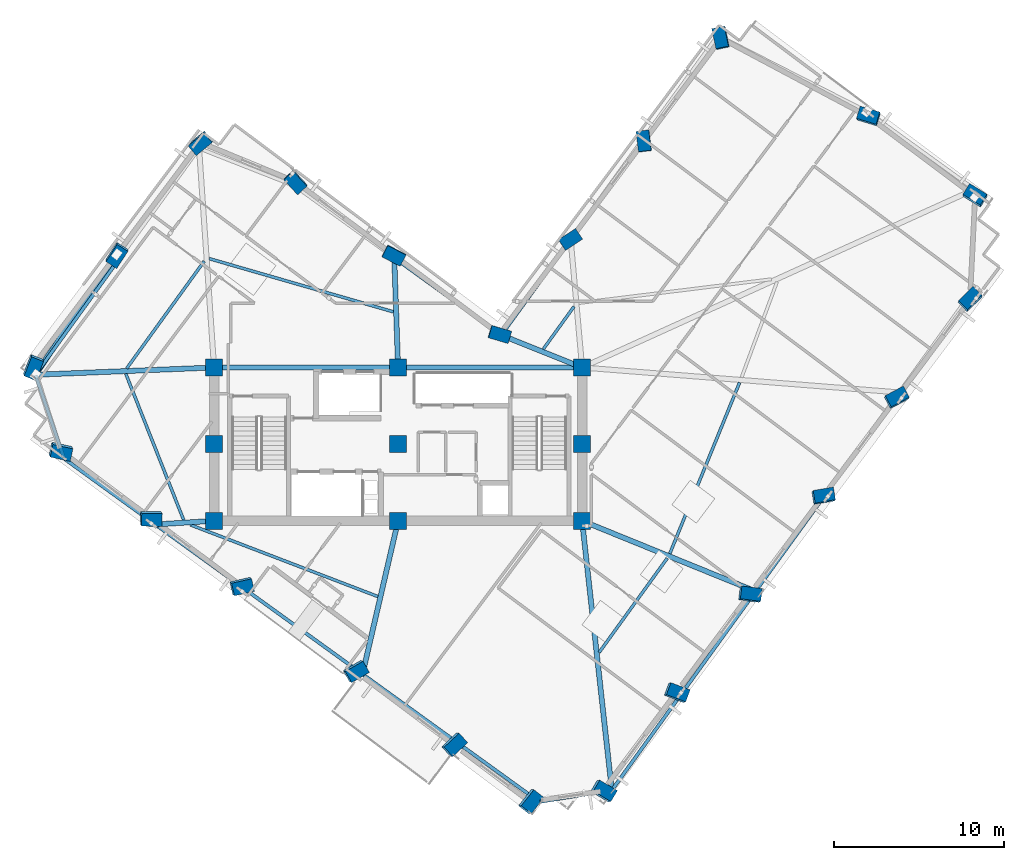
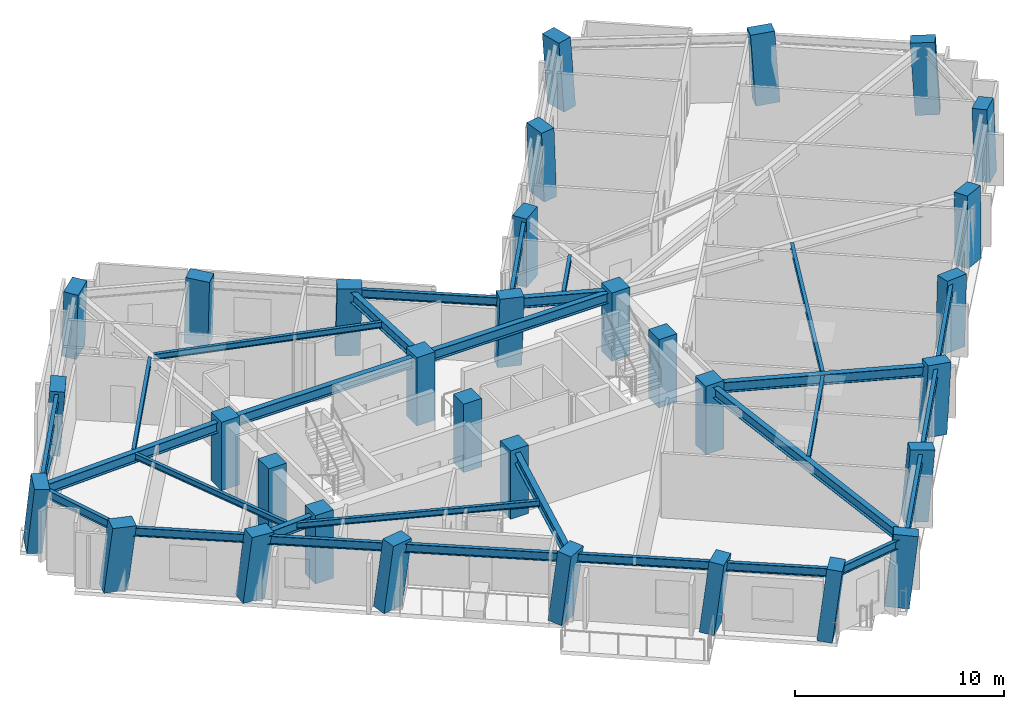
# One storey, part 1 of 12: 32 columns, 29 beams, 1 member.
"""IFC4 building model written with IfcOpenShell, lengths in metres."""

from ifc_helpers import new_model, si_unit, direction, frame, origin, origin_2d, place, context, subcontext, project, spatial, rectangle, hollow_circle, i_section, extrude, material, material_profile, profile_set, type_object, element, save


model = new_model("IFC4")

# Units and contexts
model_context = context("Model", 3, precision=1e-05, world=origin(), true_north=direction((0.0, 1.0)))
body_context = subcontext(model_context, "Body", "Model", "MODEL_VIEW")
ifc_project = project(units=[si_unit("LENGTHUNIT", "METRE"), si_unit("AREAUNIT", "SQUARE_METRE"), si_unit("VOLUMEUNIT", "CUBIC_METRE"), si_unit("PLANEANGLEUNIT", "RADIAN"), si_unit("MASSUNIT", "GRAM", prefix="KILO")], contexts=[model_context])

# Site, building, storey
site_placement = place(None, origin())
site = spatial("IfcSite", under=ifc_project, at=site_placement, CompositionType="ELEMENT")
building_placement = place(site_placement, origin())
building = spatial("IfcBuilding", under=site, at=building_placement, Name="Gaonmaruhae Medical Tower", CompositionType="ELEMENT")
storey_placement = place(building_placement, frame((0.0, 0.0, 251.199951171875)))
storey = spatial("IfcBuildingStorey", under=building, at=storey_placement, Name="L60", CompositionType="ELEMENT", Elevation=251.199951171875)

# Columns
ifc_material_1 = material(Name="Concrete C50/60", Category="concrete")
ifc_material_profile_1 = material_profile(ifc_material_1, rectangle(XDim=1.0, YDim=1.0, at=origin_2d()), Name="RC-1000x1000")
ifc_profile_set_1 = profile_set([ifc_material_profile_1], Name="Concrete C50/60")
column_type_1 = type_object("IfcColumnType", Name="CC-05 Zone 4 Core Column (RC-1000x1000)", PredefinedType="COLUMN", material=ifc_profile_set_1)
for number, where, z_axis, x_axis, name in (
    (1, (14.0, 7.800048828125, 0.0), (0.0, 0.0, 1.0), (1.0, 0.0, 0.0), "L60 Plumb Core Column CC11"),
    (2, (14.0, 12.300048828125, 0.0), (0.0, 0.0, 1.0), (1.0, 0.0, 0.0), "L60 Plumb Core Column CC12"),
    (3, (14.0, 16.800048828125, 0.0), (0.0, 0.0, 1.0), (1.0, 0.0, 0.0), "L60 Plumb Core Column CC13"),
    (4, (24.800048828125, 7.800048828125, 0.0), (0.0, 0.0, 1.0), (1.0, 0.0, 0.0), "L60 Plumb Core Column CC21"),
    (5, (24.800048828125, 12.300048828125, 0.0), (0.0, 0.0, 1.0), (1.0, 0.0, 0.0), "L60 Plumb Core Column CC22"),
    (6, (24.800048828125, 16.800048828125, 0.0), (0.0, 0.0, 1.0), (1.0, 0.0, 0.0), "L60 Plumb Core Column CC23"),
    (7, (35.60009765625, 7.800048828125, 0.0), (0.0, 0.0, 1.0), (1.0, 0.0, 0.0), "L60 Plumb Core Column CC31"),
    (8, (35.60009765625, 12.300048828125, 0.0), (0.0, 0.0, 1.0), (1.0, 0.0, 0.0), "L60 Plumb Core Column CC32"),
    (9, (35.60009765625, 16.800048828125, 0.0), (0.0, 0.0, 1.0), (1.0, 0.0, 0.0), "L60 Plumb Core Column CC33"),
):
    element("IfcColumn", number, at=place(storey_placement, frame(where, z_axis=z_axis, x_axis=x_axis)), inside=storey, type_object=column_type_1, Name=name, PredefinedType="COLUMN", context=body_context, shape_type="SweptSolid", body=[
        extrude(rectangle(XDim=1.0, YDim=1.0, at=origin_2d()), origin(), (0.0, 0.0, 1.0), 4.0),
    ])
ifc_material_profile_2 = material_profile(ifc_material_1, rectangle(XDim=1.199951171875, YDim=0.75, at=origin_2d()), Name="RC-1200x750")
ifc_profile_set_2 = profile_set([ifc_material_profile_2], Name="Concrete C50/60")
column_type_2 = type_object("IfcColumnType", Name="TC-03 Upper Raking Tube Pier Column (RC-1200x750)", PredefinedType="COLUMN", material=ifc_profile_set_2)
column_1_placement = place(storey_placement, frame((36.80029296875, -8.066162109375, 0.001953125), z_axis=(0.134853625293, 0.014284315785, 0.990762563921), x_axis=(-0.852019493667, 0.512124932429, 0.108585615971)))
element("IfcColumn", 10, at=column_1_placement, inside=storey, type_object=column_type_2, Name="L60 Perimeter Tube Column S01", PredefinedType="COLUMN", context=body_context, shape_type="SweptSolid", body=[
    extrude(rectangle(XDim=1.199951171875, YDim=0.75, at=origin_2d()), origin(), (0.0, 0.0, 1.0), 4.03369140625),
])
column_2_placement = place(storey_placement, frame((41.11328125, -2.30078125, 0.001953125), z_axis=(0.111347782099, 0.031856994878, 0.993270760316), x_axis=(-0.929434410427, 0.357143567231, 0.092736988841)))
element("IfcColumn", 11, at=column_2_placement, inside=storey, type_object=column_type_2, Name="L60 Perimeter Tube Column S02", PredefinedType="COLUMN", context=body_context, shape_type="SweptSolid", body=[
    extrude(rectangle(XDim=1.199951171875, YDim=0.75, at=origin_2d()), origin(), (0.0, 0.0, 1.0), 4.0234375),
])
column_3_placement = place(storey_placement, frame((45.42626953125, 3.464599609375, 0.001953125), z_axis=(0.087585718963, 0.049475902315, 0.994927573708), x_axis=(-0.988272356608, 0.12972919352, 0.080548653085)))
element("IfcColumn", 12, at=column_3_placement, inside=storey, type_object=column_type_2, Name="L60 Perimeter Tube Column S03", PredefinedType="COLUMN", context=body_context, shape_type="SweptSolid", body=[
    extrude(rectangle(XDim=1.199951171875, YDim=0.75, at=origin_2d()), origin(), (0.0, 0.0, 1.0), 4.0166015625),
])
column_4_placement = place(storey_placement, frame((49.739013671875, 9.229736328125, 0.001953125), z_axis=(0.063748411472, 0.067154815138, 0.995703957428), x_axis=(-0.983362673605, -0.165833326285, 0.074142835491)))
element("IfcColumn", 13, at=column_4_placement, inside=storey, type_object=column_type_2, Name="L60 Perimeter Tube Column S04", PredefinedType="COLUMN", context=body_context, shape_type="SweptSolid", body=[
    extrude(rectangle(XDim=1.199951171875, YDim=0.75, at=origin_2d()), origin(), (0.0, 0.0, 1.0), 4.013671875),
])
column_5_placement = place(storey_placement, frame((54.052001953125, 14.9951171875, 0.001953125), z_axis=(0.039778172203, 0.084726290335, 0.995609940058), x_axis=(-0.881040360407, -0.46706603871, 0.074947974075)))
element("IfcColumn", 14, at=column_5_placement, inside=storey, type_object=column_type_2, Name="L60 Perimeter Tube Column S05", PredefinedType="COLUMN", context=body_context, shape_type="SweptSolid", body=[
    extrude(rectangle(XDim=1.199951171875, YDim=0.75, at=origin_2d()), origin(), (0.0, 0.0, 1.0), 4.013916015625),
])
column_6_placement = place(storey_placement, frame((58.364990234375, 20.760498046875, 0.001953125), z_axis=(0.015798513872, 0.102204232052, 0.994637975301), x_axis=(-0.713659401151, -0.695580870268, 0.082810096407)))
element("IfcColumn", 15, at=column_6_placement, inside=storey, type_object=column_type_2, Name="L60 Perimeter Tube Column S06", PredefinedType="COLUMN", context=body_context, shape_type="SweptSolid", body=[
    extrude(rectangle(XDim=1.199951171875, YDim=0.75, at=origin_2d()), origin(), (0.0, 0.0, 1.0), 4.017822265625),
])
column_7_placement = place(storey_placement, frame((58.66748046875, 26.8408203125, 0.001953125), z_axis=(-0.009235832937, 0.103234737891, 0.994614140399), x_axis=(0.850636606245, -0.522075248116, 0.062087031016)))
element("IfcColumn", 16, at=column_7_placement, inside=storey, type_object=column_type_2, Name="L60 Perimeter Tube Column E01", PredefinedType="COLUMN", context=body_context, shape_type="SweptSolid", body=[
    extrude(rectangle(XDim=1.199951171875, YDim=0.75, at=origin_2d()), origin(), (0.0, 0.0, 1.0), 4.01806640625),
])
column_8_placement = place(storey_placement, frame((52.421875, 31.51318359375, 0.001953125), z_axis=(-0.028371320881, 0.077503629788, 0.996588307939), x_axis=(0.957149453601, -0.285343074495, 0.049439390263)))
element("IfcColumn", 17, at=column_8_placement, inside=storey, type_object=column_type_2, Name="L60 Perimeter Tube Column E02", PredefinedType="COLUMN", context=body_context, shape_type="SweptSolid", body=[
    extrude(rectangle(XDim=1.199951171875, YDim=0.75, at=origin_2d()), origin(), (0.0, 0.0, 1.0), 4.010009765625),
])
column_9_placement = place(storey_placement, frame((43.756103515625, 36.12255859375, 0.001953125), z_axis=(-0.047190879507, 0.041581627679, 0.998020034434), x_axis=(0.203571858613, -0.977763785385, 0.050363462655)))
element("IfcColumn", 18, at=column_9_placement, inside=storey, type_object=column_type_2, Name="L60 Perimeter Tube Column E03", PredefinedType="COLUMN", context=body_context, shape_type="SweptSolid", body=[
    extrude(rectangle(XDim=1.199951171875, YDim=0.75, at=origin_2d()), origin(), (0.0, 0.0, 1.0), 4.004150390625),
])
column_10_placement = place(storey_placement, frame((39.233642578125, 30.076904296875, 0.001953125), z_axis=(-0.022103646467, 0.023141663014, 0.999487814956), x_axis=(0.119606697095, -0.992490609575, 0.025624751993)))
element("IfcColumn", 19, at=column_10_placement, inside=storey, type_object=column_type_2, Name="L60 Perimeter Tube Column EN01", PredefinedType="COLUMN", context=body_context, shape_type="SweptSolid", body=[
    extrude(rectangle(XDim=1.199951171875, YDim=0.75, at=origin_2d()), origin(), (0.0, 0.0, 1.0), 3.998291015625),
])
column_11_placement = place(storey_placement, frame((34.920654296875, 24.3115234375, 0.001953125), z_axis=(0.001954881495, 0.005498104203, 0.999982974499), x_axis=(-0.83265701767, -0.553769318945, 0.004672506767)))
element("IfcColumn", 20, at=column_11_placement, inside=storey, type_object=column_type_2, Name="L60 Perimeter Tube Column EN02", PredefinedType="COLUMN", context=body_context, shape_type="SweptSolid", body=[
    extrude(rectangle(XDim=1.199951171875, YDim=0.75, at=origin_2d()), origin(), (0.0, 0.0, 1.0), 3.996337890625),
])
column_12_placement = place(storey_placement, frame((30.75732421875, 18.74658203125, 0.001953125), z_axis=(0.025220894117, -0.011602832645, 0.999614566108), x_axis=(-0.958449756783, 0.283934892623, 0.027477999826)))
element("IfcColumn", 21, at=column_12_placement, inside=storey, type_object=column_type_2, Name="L60 Perimeter Tube Column KN01", PredefinedType="COLUMN", context=body_context, shape_type="SweptSolid", body=[
    extrude(rectangle(XDim=1.199951171875, YDim=0.75, at=origin_2d()), origin(), (0.0, 0.0, 1.0), 3.997802734375),
])
column_13_placement = place(storey_placement, frame((24.5517578125, 23.388916015625, 0.001953125), z_axis=(0.006165760518, -0.037421893045, 0.999280533843), x_axis=(-0.887393186709, 0.46045324072, 0.022718831231)))
element("IfcColumn", 22, at=column_13_placement, inside=storey, type_object=column_type_2, Name="L60 Perimeter Tube Column NE01", PredefinedType="COLUMN", context=body_context, shape_type="SweptSolid", body=[
    extrude(rectangle(XDim=1.199951171875, YDim=0.75, at=origin_2d()), origin(), (0.0, 0.0, 1.0), 3.999267578125),
])
column_14_placement = place(storey_placement, frame((18.786376953125, 27.701904296875, 0.001953125), z_axis=(-0.011462699644, -0.061398609264, 0.998047502525), x_axis=(-0.677411868059, 0.734651823972, 0.037414683581)))
element("IfcColumn", 23, at=column_14_placement, inside=storey, type_object=column_type_2, Name="L60 Perimeter Tube Column NE02", PredefinedType="COLUMN", context=body_context, shape_type="SweptSolid", body=[
    extrude(rectangle(XDim=1.199951171875, YDim=0.75, at=origin_2d()), origin(), (0.0, 0.0, 1.0), 4.004150390625),
])
column_15_placement = place(storey_placement, frame((13.20361328125, 30.0048828125, 0.001953125), z_axis=(-0.020814146338, -0.084352066736, 0.996218600584), x_axis=(0.772683823254, 0.630967378027, 0.069569225579)))
element("IfcColumn", 24, at=column_15_placement, inside=storey, type_object=column_type_2, Name="L60 Perimeter Tube Column N01", PredefinedType="COLUMN", context=body_context, shape_type="SweptSolid", body=[
    extrude(rectangle(XDim=1.199951171875, YDim=0.75, at=origin_2d()), origin(), (0.0, 0.0, 1.0), 4.011474609375),
])
column_16_placement = place(storey_placement, frame((8.291748046875, 23.43896484375, 0.001953125), z_axis=(0.006440188343, -0.104318899858, 0.994523047046), x_axis=(0.548815872699, 0.831743378243, 0.083690445228)))
element("IfcColumn", 25, at=column_16_placement, inside=storey, type_object=column_type_2, Name="L60 Perimeter Tube Column N02", PredefinedType="COLUMN", context=body_context, shape_type="SweptSolid", body=[
    extrude(rectangle(XDim=1.199951171875, YDim=0.75, at=origin_2d()), origin(), (0.0, 0.0, 1.0), 4.018310546875),
])
column_17_placement = place(storey_placement, frame((3.379638671875, 16.872802734375, 0.001953125), z_axis=(0.033624737354, -0.123957139866, 0.991717704044), x_axis=(0.370235702407, 0.92322736919, 0.102843324731)))
element("IfcColumn", 26, at=column_17_placement, inside=storey, type_object=column_type_2, Name="L60 Perimeter Tube Column N03", PredefinedType="COLUMN", context=body_context, shape_type="SweptSolid", body=[
    extrude(rectangle(XDim=1.199951171875, YDim=0.75, at=origin_2d()), origin(), (0.0, 0.0, 1.0), 4.02978515625),
])
column_18_placement = place(storey_placement, frame((4.98583984375, 11.9248046875, 0.001953125), z_axis=(0.053856553718, -0.117163751282, 0.991651212376), x_axis=(-0.975646086915, 0.205300135249, 0.077243559951)))
element("IfcColumn", 27, at=column_18_placement, inside=storey, type_object=column_type_2, Name="L60 Perimeter Tube Column W01", PredefinedType="COLUMN", context=body_context, shape_type="SweptSolid", body=[
    extrude(rectangle(XDim=1.199951171875, YDim=0.75, at=origin_2d()), origin(), (0.0, 0.0, 1.0), 4.030029296875),
])
column_19_placement = place(storey_placement, frame((10.270751953125, 7.971435546875, 0.001953125), z_axis=(0.070003274171, -0.09548106893, 0.992966720027), x_axis=(-0.997462411054, 0.006244621078, 0.07092068275)))
element("IfcColumn", 28, at=column_19_placement, inside=storey, type_object=column_type_2, Name="L60 Perimeter Tube Column W02", PredefinedType="COLUMN", context=body_context, shape_type="SweptSolid", body=[
    extrude(rectangle(XDim=1.199951171875, YDim=0.75, at=origin_2d()), origin(), (0.0, 0.0, 1.0), 4.024658203125),
])
column_20_placement = place(storey_placement, frame((15.595458984375, 3.98779296875, 0.001953125), z_axis=(0.086372089223, -0.073443589571, 0.993552163379), x_axis=(-0.972110341337, -0.224475070802, 0.067914850025)))
element("IfcColumn", 29, at=column_20_placement, inside=storey, type_object=column_type_2, Name="L60 Perimeter Tube Column W03", PredefinedType="COLUMN", context=body_context, shape_type="SweptSolid", body=[
    extrude(rectangle(XDim=1.199951171875, YDim=0.75, at=origin_2d()), origin(), (0.0, 0.0, 1.0), 4.022216796875),
])
column_21_placement = place(storey_placement, frame((22.28173828125, -1.013916015625, 0.001953125), z_axis=(0.106672531478, -0.0456907942, 0.993243838316), x_axis=(-0.862189893664, -0.501793133805, 0.069514301625)))
element("IfcColumn", 30, at=column_21_placement, inside=storey, type_object=column_type_2, Name="L60 Perimeter Tube Column W04", PredefinedType="COLUMN", context=body_context, shape_type="SweptSolid", body=[
    extrude(rectangle(XDim=1.199951171875, YDim=0.75, at=origin_2d()), origin(), (0.0, 0.0, 1.0), 4.0234375),
])
column_22_placement = place(storey_placement, frame((28.046875, -5.326904296875, 0.001953125), z_axis=(0.124117094329, -0.021817457987, 0.992027693879), x_axis=(-0.723902692212, -0.685759655391, 0.075488987581)))
element("IfcColumn", 31, at=column_22_placement, inside=storey, type_object=column_type_2, Name="L60 Perimeter Tube Column W05", PredefinedType="COLUMN", context=body_context, shape_type="SweptSolid", body=[
    extrude(rectangle(XDim=1.199951171875, YDim=0.75, at=origin_2d()), origin(), (0.0, 0.0, 1.0), 4.028564453125),
])
column_23_placement = place(storey_placement, frame((32.531005859375, -8.681396484375, 0.001953125), z_axis=(0.137539630285, -0.003207039334, 0.99049107265), x_axis=(-0.611832040246, -0.786682805719, 0.082411878476)))
element("IfcColumn", 32, at=column_23_placement, inside=storey, type_object=column_type_2, Name="L60 Perimeter Tube Column W06", PredefinedType="COLUMN", context=body_context, shape_type="SweptSolid", body=[
    extrude(rectangle(XDim=1.199951171875, YDim=0.75, at=origin_2d()), origin(), (0.0, 0.0, 1.0), 4.03466796875),
])

# Beams
ifc_material_2 = material(Name="Steel SM355", Category="steel")
ifc_material_profile_3 = material_profile(ifc_material_2, i_section(OverallWidth=0.175048828125, OverallDepth=0.35009765625, WebThickness=0.007080078125, FlangeThickness=0.010986328125, FilletRadius=0.012939453125, at=origin_2d()), Name="H-350x175x7x11")
ifc_profile_set_3 = profile_set([ifc_material_profile_3], Name="Steel SM355")
beam_type_1 = type_object("IfcBeamType", Name="FJ-02 Upper Zone Ward Floor Joist (H-350x175x7x11)", PredefinedType="JOIST", material=ifc_profile_set_3)
beam_1_placement = place(storey_placement, frame((36.606689453125, 0.081787109375, 3.60498046875), z_axis=(0.585668549602, 0.810550646171, 0.0), x_axis=(-0.810550646171, 0.585668549602, 0.0)))
element("IfcBeam", 33, at=beam_1_placement, inside=storey, type_object=beam_type_1, Name="L60 Secondary Floor Joist FJ01", PredefinedType="JOIST", context=body_context, shape_type="SweptSolid", body=[
    extrude(i_section(OverallWidth=0.175048828125, OverallDepth=0.35009765625, WebThickness=0.007080078125, FlangeThickness=0.010986328125, FilletRadius=0.012939453125, at=origin_2d()), origin(), (0.0, 0.0, 1.0), 6.810302734375),
])
beam_2_placement = place(storey_placement, frame((40.748046875, 5.876220703125, 3.60498046875), z_axis=(0.377748112361, 0.925908399145, 0.0), x_axis=(-0.925908399145, 0.377748112361, 0.0)))
element("IfcBeam", 34, at=beam_2_placement, inside=storey, type_object=beam_type_1, Name="L60 Secondary Floor Joist FJ02", PredefinedType="JOIST", context=body_context, shape_type="SweptSolid", body=[
    extrude(i_section(OverallWidth=0.175048828125, OverallDepth=0.35009765625, WebThickness=0.007080078125, FlangeThickness=0.010986328125, FilletRadius=0.012939453125, at=origin_2d()), origin(), (0.0, 0.0, 1.0), 10.84375),
])
beam_3_placement = place(storey_placement, frame((35.126708984375, 20.37646484375, 3.60498046875), z_axis=(-0.585646853068, -0.810566322698, 0.0), x_axis=(0.810566322698, -0.585646853068, 0.0)))
element("IfcBeam", 35, at=beam_3_placement, inside=storey, type_object=beam_type_1, Name="L60 Secondary Floor Joist FJ05", PredefinedType="JOIST", context=body_context, shape_type="SweptSolid", body=[
    extrude(i_section(OverallWidth=0.175048828125, OverallDepth=0.35009765625, WebThickness=0.007080078125, FlangeThickness=0.010986328125, FilletRadius=0.012939453125, at=origin_2d()), origin(), (0.0, 0.0, 1.0), 3.079345703125),
])
beam_4_placement = place(storey_placement, frame((24.53076171875, 20.06494140625, 3.60498046875), z_axis=(-0.960738217693, 0.277456441741, 0.0), x_axis=(-0.277456441741, -0.960738217693, 0.0)))
element("IfcBeam", 36, at=beam_4_placement, inside=storey, type_object=beam_type_1, Name="L60 Secondary Floor Joist FJ07", PredefinedType="JOIST", context=body_context, shape_type="SweptSolid", body=[
    extrude(i_section(OverallWidth=0.175048828125, OverallDepth=0.35009765625, WebThickness=0.007080078125, FlangeThickness=0.010986328125, FilletRadius=0.012939453125, at=origin_2d()), origin(), (0.0, 0.0, 1.0), 11.25341796875),
])
beam_5_placement = place(storey_placement, frame((13.419189453125, 23.0380859375, 3.60498046875), z_axis=(-0.585674266825, -0.810546515123, 0.0), x_axis=(0.810546515123, -0.585674266825, 0.0)))
element("IfcBeam", 37, at=beam_5_placement, inside=storey, type_object=beam_type_1, Name="L60 Secondary Floor Joist FJ08", PredefinedType="JOIST", context=body_context, shape_type="SweptSolid", body=[
    extrude(i_section(OverallWidth=0.175048828125, OverallDepth=0.35009765625, WebThickness=0.007080078125, FlangeThickness=0.010986328125, FilletRadius=0.012939453125, at=origin_2d()), origin(), (0.0, 0.0, 1.0), 7.7626953125),
])
beam_6_placement = place(storey_placement, frame((8.818359375, 16.433349609375, 3.60498046875), z_axis=(0.36791036452, -0.929861260446, 0.0), x_axis=(0.929861260446, 0.36791036452, 0.0)))
element("IfcBeam", 38, at=beam_6_placement, inside=storey, type_object=beam_type_1, Name="L60 Secondary Floor Joist FJ09", PredefinedType="JOIST", context=body_context, shape_type="SweptSolid", body=[
    extrude(i_section(OverallWidth=0.175048828125, OverallDepth=0.35009765625, WebThickness=0.007080078125, FlangeThickness=0.010986328125, FilletRadius=0.012939453125, at=origin_2d()), origin(), (0.0, 0.0, 1.0), 9.235107421875),
])
beam_7_placement = place(storey_placement, frame((12.6201171875, 7.56201171875, 3.60498046875), z_axis=(0.933954482578, -0.357391975948, 0.0), x_axis=(0.357391975948, 0.933954482578, 0.0)))
element("IfcBeam", 39, at=beam_7_placement, inside=storey, type_object=beam_type_1, Name="L60 Secondary Floor Joist FJ10", PredefinedType="JOIST", context=body_context, shape_type="SweptSolid", body=[
    extrude(i_section(OverallWidth=0.175048828125, OverallDepth=0.35009765625, WebThickness=0.007080078125, FlangeThickness=0.010986328125, FilletRadius=0.012939453125, at=origin_2d()), origin(), (0.0, 0.0, 1.0), 11.765380859375),
])

# Member
ifc_material_profile_4 = material_profile(ifc_material_2, hollow_circle(Radius=0.1591796875, WallThickness=0.01025390625, at=origin_2d()), Name="CHS-318.5x10.3")
ifc_profile_set_4 = profile_set([ifc_material_profile_4], Name="Steel SM355")
member_type = type_object("IfcMemberType", Name="PB-03 Perimeter Solid-Bay Tube Brace Upper (CHS-318.5x10.3)", PredefinedType="BRACE", material=ifc_profile_set_4)
member_placement = place(storey_placement, frame((8.291748046875, 23.439208984375, 0.25), z_axis=(-0.522712638849, -0.773262044785, 0.358939141474), x_axis=(0.828470519995, -0.560032675386, 0.0)))
element("IfcMember", 40, at=member_placement, inside=storey, type_object=member_type, Name="L60 Perimeter Tube Solid-Bay Brace N02-N03", PredefinedType="BRACE", context=body_context, shape_type="SweptSolid", body=[
    extrude(hollow_circle(Radius=0.1591796875, WallThickness=0.01025390625, at=origin_2d()), origin(), (0.0, 0.0, 1.0), 9.13818359375),
])

# Beams
ifc_material_3 = material(Name="Steel SM420", Category="steel")
ifc_material_profile_5 = material_profile(ifc_material_3, i_section(OverallWidth=0.300048828125, OverallDepth=0.60009765625, WebThickness=0.011962890625, FlangeThickness=0.02001953125, FilletRadius=0.012939453125, at=origin_2d()), Name="H-600x300x12x20")
ifc_profile_set_5 = profile_set([ifc_material_profile_5], Name="Steel SM420")
beam_type_2 = type_object("IfcBeamType", Name="PG-04 Zone 4 Radial Floor Girder (H-600x300x12x20)", PredefinedType="BEAM", material=ifc_profile_set_5)
for number, where, z_axis, x_axis, name in (
    (41, (14.050048828125, 16.800048828125, 3.47998046875), (1.0, 0.0, 0.0), (0.0, 1.0, 0.0), "L60 Beam BM-L60-CG-N1"),
    (42, (24.85009765625, 16.800048828125, 3.47998046875), (1.0, 0.0, 0.0), (0.0, 1.0, 0.0), "L60 Beam BM-L60-CG-N2"),
):
    element("IfcBeam", number, at=place(storey_placement, frame(where, z_axis=z_axis, x_axis=x_axis)), inside=storey, type_object=beam_type_2, Name=name, PredefinedType="BEAM", context=body_context, shape_type="SweptSolid", body=[
        extrude(i_section(OverallWidth=0.300048828125, OverallDepth=0.60009765625, WebThickness=0.011962890625, FlangeThickness=0.02001953125, FilletRadius=0.012939453125, at=origin_2d()), origin(), (0.0, 0.0, 1.0), 10.699951171875),
    ])
beam_8_placement = place(storey_placement, frame((35.60546875, 7.750244140625, 3.47998046875), z_axis=(0.109693963226, -0.993965409072, 0.0), x_axis=(0.993965409072, 0.109693963226, 0.0)))
element("IfcBeam", 43, at=beam_8_placement, inside=storey, type_object=beam_type_2, Name="L60 Radial Primary Girder S01", PredefinedType="BEAM", context=body_context, shape_type="SweptSolid", body=[
    extrude(i_section(OverallWidth=0.300048828125, OverallDepth=0.60009765625, WebThickness=0.011962890625, FlangeThickness=0.02001953125, FilletRadius=0.012939453125, at=origin_2d()), origin(), (0.0, 0.0, 1.0), 15.804443359375),
])
beam_9_placement = place(storey_placement, frame((35.646240234375, 7.78125, 3.47998046875), z_axis=(0.926408651543, -0.376519601544, 0.0), x_axis=(0.376519601544, 0.926408651543, 0.0)))
element("IfcBeam", 44, at=beam_9_placement, inside=storey, type_object=beam_type_2, Name="L60 Radial Primary Girder S03", PredefinedType="BEAM", context=body_context, shape_type="SweptSolid", body=[
    extrude(i_section(OverallWidth=0.300048828125, OverallDepth=0.60009765625, WebThickness=0.011962890625, FlangeThickness=0.02001953125, FilletRadius=0.012939453125, at=origin_2d()), origin(), (0.0, 0.0, 1.0), 10.886962890625),
])
beam_10_placement = place(storey_placement, frame((35.553466796875, 16.818603515625, 3.47998046875), z_axis=(-0.92823780758, 0.371987328518, 0.0), x_axis=(-0.371987328518, -0.92823780758, 0.0)))
element("IfcBeam", 45, at=beam_10_placement, inside=storey, type_object=beam_type_2, Name="L60 Radial Primary Girder KN01", PredefinedType="BEAM", context=body_context, shape_type="SweptSolid", body=[
    extrude(i_section(OverallWidth=0.300048828125, OverallDepth=0.60009765625, WebThickness=0.011962890625, FlangeThickness=0.02001953125, FilletRadius=0.012939453125, at=origin_2d()), origin(), (0.0, 0.0, 1.0), 5.00830078125),
])
beam_11_placement = place(storey_placement, frame((24.79833984375, 16.849853515625, 3.47998046875), z_axis=(-0.034716793721, 0.999397190427, 0.0), x_axis=(-0.999397190427, -0.034716793721, 0.0)))
element("IfcBeam", 46, at=beam_11_placement, inside=storey, type_object=beam_type_2, Name="L60 Radial Primary Girder NE01", PredefinedType="BEAM", context=body_context, shape_type="SweptSolid", body=[
    extrude(i_section(OverallWidth=0.300048828125, OverallDepth=0.60009765625, WebThickness=0.011962890625, FlangeThickness=0.02001953125, FilletRadius=0.012939453125, at=origin_2d()), origin(), (0.0, 0.0, 1.0), 6.34326171875),
])
beam_12_placement = place(storey_placement, frame((13.949951171875, 16.7978515625, 3.47998046875), z_axis=(-0.999172987954, -0.04066128555, 0.0), x_axis=(0.04066128555, -0.999172987954, 0.0)))
element("IfcBeam", 47, at=beam_12_placement, inside=storey, type_object=beam_type_2, Name="L60 Radial Primary Girder N03", PredefinedType="BEAM", context=body_context, shape_type="SweptSolid", body=[
    extrude(i_section(OverallWidth=0.300048828125, OverallDepth=0.60009765625, WebThickness=0.011962890625, FlangeThickness=0.02001953125, FilletRadius=0.012939453125, at=origin_2d()), origin(), (0.0, 0.0, 1.0), 10.393310546875),
])
beam_13_placement = place(storey_placement, frame((13.9501953125, 7.796875, 3.47998046875), z_axis=(-0.998097631892, -0.061653201153, 0.0), x_axis=(0.061653201153, -0.998097631892, 0.0)))
element("IfcBeam", 48, at=beam_13_placement, inside=storey, type_object=beam_type_2, Name="L60 Radial Primary Girder W02", PredefinedType="BEAM", context=body_context, shape_type="SweptSolid", body=[
    extrude(i_section(OverallWidth=0.300048828125, OverallDepth=0.60009765625, WebThickness=0.011962890625, FlangeThickness=0.02001953125, FilletRadius=0.012939453125, at=origin_2d()), origin(), (0.0, 0.0, 1.0), 3.35400390625),
])
beam_14_placement = place(storey_placement, frame((24.78857421875, 7.751220703125, 3.47998046875), z_axis=(-0.226129707199, -0.974097200243, 0.0), x_axis=(0.974097200243, -0.226129707199, 0.0)))
element("IfcBeam", 49, at=beam_14_placement, inside=storey, type_object=beam_type_2, Name="L60 Radial Primary Girder W04", PredefinedType="BEAM", context=body_context, shape_type="SweptSolid", body=[
    extrude(i_section(OverallWidth=0.300048828125, OverallDepth=0.60009765625, WebThickness=0.011962890625, FlangeThickness=0.02001953125, FilletRadius=0.012939453125, at=origin_2d()), origin(), (0.0, 0.0, 1.0), 9.136962890625),
])
ifc_material_profile_6 = material_profile(ifc_material_2, i_section(OverallWidth=0.199951171875, OverallDepth=0.5, WebThickness=0.010009765625, FlangeThickness=0.01611328125, FilletRadius=0.012939453125, at=origin_2d()), Name="H-500x200x10x16")
ifc_profile_set_6 = profile_set([ifc_material_profile_6], Name="Steel SM355")
beam_type_3 = type_object("IfcBeamType", Name="SP-02 Upper Perimeter Spandrel Beam (H-500x200x10x16)", PredefinedType="SPANDREL", material=ifc_profile_set_6)
beam_15_placement = place(storey_placement, frame((37.367919921875, -7.97607421875, 3.530029296875), z_axis=(0.585673326263, 0.810547194742, 0.0), x_axis=(-0.810547194742, 0.585673326263, 0.0)))
element("IfcBeam", 50, at=beam_15_placement, inside=storey, type_object=beam_type_3, Name="L60 Perimeter Spandrel Beam S01-S02", PredefinedType="SPANDREL", context=body_context, shape_type="SweptSolid", body=[
    extrude(i_section(OverallWidth=0.199951171875, OverallDepth=0.5, WebThickness=0.010009765625, FlangeThickness=0.01611328125, FilletRadius=0.012939453125, at=origin_2d()), origin(), (0.0, 0.0, 1.0), 7.119873046875),
])
for number, where, z_axis, x_axis, name in (
    (51, (41.584716796875, -2.14013671875, 3.530029296875), (0.585657048586, 0.810558956179, 0.0), (-0.810558956179, 0.585657048586, 0.0), "L60 Perimeter Spandrel Beam S02-S03"),
    (52, (45.801513671875, 3.69580078125, 3.530029296875), (0.585657048586, 0.810558956179, 0.0), (-0.810558956179, 0.585657048586, 0.0), "L60 Perimeter Spandrel Beam S03-S04"),
):
    element("IfcBeam", number, at=place(storey_placement, frame(where, z_axis=z_axis, x_axis=x_axis)), inside=storey, type_object=beam_type_3, Name=name, PredefinedType="SPANDREL", context=body_context, shape_type="SweptSolid", body=[
        extrude(i_section(OverallWidth=0.199951171875, OverallDepth=0.5, WebThickness=0.010009765625, FlangeThickness=0.01611328125, FilletRadius=0.012939453125, at=origin_2d()), origin(), (0.0, 0.0, 1.0), 7.1201171875),
    ])
beam_16_placement = place(storey_placement, frame((34.905029296875, 24.30126953125, 3.530029296875), z_axis=(-0.585650134727, -0.810563951638, 0.0), x_axis=(0.810563951638, -0.585650134727, 0.0)))
element("IfcBeam", 53, at=beam_16_placement, inside=storey, type_object=beam_type_3, Name="L60 Perimeter Spandrel Beam EN02-KN01", PredefinedType="SPANDREL", context=body_context, shape_type="SweptSolid", body=[
    extrude(i_section(OverallWidth=0.199951171875, OverallDepth=0.5, WebThickness=0.010009765625, FlangeThickness=0.01611328125, FilletRadius=0.012939453125, at=origin_2d()), origin(), (0.0, 0.0, 1.0), 6.8701171875),
])
beam_17_placement = place(storey_placement, frame((30.82568359375, 18.7236328125, 3.530029296875), z_axis=(-0.810538194024, 0.585685782675, 0.0), x_axis=(-0.585685782675, -0.810538194024, 0.0)))
element("IfcBeam", 54, at=beam_17_placement, inside=storey, type_object=beam_type_3, Name="L60 Perimeter Spandrel Beam KN01-NE01", PredefinedType="SPANDREL", context=body_context, shape_type="SweptSolid", body=[
    extrude(i_section(OverallWidth=0.199951171875, OverallDepth=0.5, WebThickness=0.010009765625, FlangeThickness=0.01611328125, FilletRadius=0.012939453125, at=origin_2d()), origin(), (0.0, 0.0, 1.0), 7.669921875),
])
beam_18_placement = place(storey_placement, frame((8.294189453125, 22.9873046875, 3.530029296875), z_axis=(-0.585660692809, -0.810556323088, 0.0), x_axis=(0.810556323088, -0.585660692809, 0.0)))
element("IfcBeam", 55, at=beam_18_placement, inside=storey, type_object=beam_type_3, Name="L60 Perimeter Spandrel Beam N02-N03", PredefinedType="SPANDREL", context=body_context, shape_type="SweptSolid", body=[
    extrude(i_section(OverallWidth=0.199951171875, OverallDepth=0.5, WebThickness=0.010009765625, FlangeThickness=0.01611328125, FilletRadius=0.012939453125, at=origin_2d()), origin(), (0.0, 0.0, 1.0), 8.1201171875),
])
beam_19_placement = place(storey_placement, frame((3.5283203125, 16.33544921875, 3.530029296875), z_axis=(0.324437646295, -0.945907085113, 0.0), x_axis=(0.945907085113, 0.324437646295, 0.0)))
element("IfcBeam", 56, at=beam_19_placement, inside=storey, type_object=beam_type_3, Name="L60 Perimeter Spandrel Beam N03-W01", PredefinedType="SPANDREL", context=body_context, shape_type="SweptSolid", body=[
    extrude(i_section(OverallWidth=0.199951171875, OverallDepth=0.5, WebThickness=0.010009765625, FlangeThickness=0.01611328125, FilletRadius=0.012939453125, at=origin_2d()), origin(), (0.0, 0.0, 1.0), 5.122314453125),
])
beam_20_placement = place(storey_placement, frame((5.235595703125, 11.428955078125, 3.530029296875), z_axis=(0.810540969605, -0.585681941494, 0.0), x_axis=(0.585681941494, 0.810540969605, 0.0)))
element("IfcBeam", 57, at=beam_20_placement, inside=storey, type_object=beam_type_3, Name="L60 Perimeter Spandrel Beam W01-W02", PredefinedType="SPANDREL", context=body_context, shape_type="SweptSolid", body=[
    extrude(i_section(OverallWidth=0.199951171875, OverallDepth=0.5, WebThickness=0.010009765625, FlangeThickness=0.01611328125, FilletRadius=0.012939453125, at=origin_2d()), origin(), (0.0, 0.0, 1.0), 6.52001953125),
])
beam_21_placement = place(storey_placement, frame((10.585205078125, 7.563720703125, 3.510009765625), z_axis=(0.810540061734, -0.585683197918, 0.0), x_axis=(0.585683197918, 0.810540061734, 0.0)))
element("IfcBeam", 58, at=beam_21_placement, inside=storey, type_object=beam_type_3, Name="L60 Perimeter Spandrel Beam W02-W03", PredefinedType="SPANDREL", context=body_context, shape_type="SweptSolid", body=[
    extrude(i_section(OverallWidth=0.199951171875, OverallDepth=0.5, WebThickness=0.010009765625, FlangeThickness=0.01611328125, FilletRadius=0.012939453125, at=origin_2d()), origin(), (0.0, 0.0, 1.0), 6.56982421875),
])
beam_22_placement = place(storey_placement, frame((15.975341796875, 3.6689453125, 3.510009765625), z_axis=(0.81055388096, -0.585664072708, 0.0), x_axis=(0.585664072708, 0.81055388096, 0.0)))
element("IfcBeam", 59, at=beam_22_placement, inside=storey, type_object=beam_type_3, Name="L60 Perimeter Spandrel Beam W03-W04", PredefinedType="SPANDREL", context=body_context, shape_type="SweptSolid", body=[
    extrude(i_section(OverallWidth=0.199951171875, OverallDepth=0.5, WebThickness=0.010009765625, FlangeThickness=0.01611328125, FilletRadius=0.012939453125, at=origin_2d()), origin(), (0.0, 0.0, 1.0), 8.27001953125),
])
beam_23_placement = place(storey_placement, frame((22.743408203125, -1.221435546875, 3.530029296875), z_axis=(0.810558956179, -0.585657048586, 0.0), x_axis=(0.585657048586, 0.810558956179, 0.0)))
element("IfcBeam", 60, at=beam_23_placement, inside=storey, type_object=beam_type_3, Name="L60 Perimeter Spandrel Beam W04-W05", PredefinedType="SPANDREL", context=body_context, shape_type="SweptSolid", body=[
    extrude(i_section(OverallWidth=0.199951171875, OverallDepth=0.5, WebThickness=0.010009765625, FlangeThickness=0.01611328125, FilletRadius=0.012939453125, at=origin_2d()), origin(), (0.0, 0.0, 1.0), 7.1201171875),
])
beam_24_placement = place(storey_placement, frame((28.579345703125, -5.438232421875, 3.530029296875), z_axis=(0.810556755314, -0.585660094607, 0.0), x_axis=(0.585660094607, 0.810556755314, 0.0)))
element("IfcBeam", 61, at=beam_24_placement, inside=storey, type_object=beam_type_3, Name="L60 Perimeter Spandrel Beam W05-W06", PredefinedType="SPANDREL", context=body_context, shape_type="SweptSolid", body=[
    extrude(i_section(OverallWidth=0.199951171875, OverallDepth=0.5, WebThickness=0.010009765625, FlangeThickness=0.01611328125, FilletRadius=0.012939453125, at=origin_2d()), origin(), (0.0, 0.0, 1.0), 5.52001953125),
])
beam_25_placement = place(storey_placement, frame((33.12548828125, -8.68798828125, 3.530029296875), z_axis=(0.987279985145, 0.158991292, 0.0), x_axis=(-0.158991292, 0.987279985145, 0.0)))
element("IfcBeam", 62, at=beam_25_placement, inside=storey, type_object=beam_type_3, Name="L60 Perimeter Spandrel Beam W06-S01", PredefinedType="SPANDREL", context=body_context, shape_type="SweptSolid", body=[
    extrude(i_section(OverallWidth=0.199951171875, OverallDepth=0.5, WebThickness=0.010009765625, FlangeThickness=0.01611328125, FilletRadius=0.012939453125, at=origin_2d()), origin(), (0.0, 0.0, 1.0), 4.233642578125),
])

save(model, "model.ifc")
